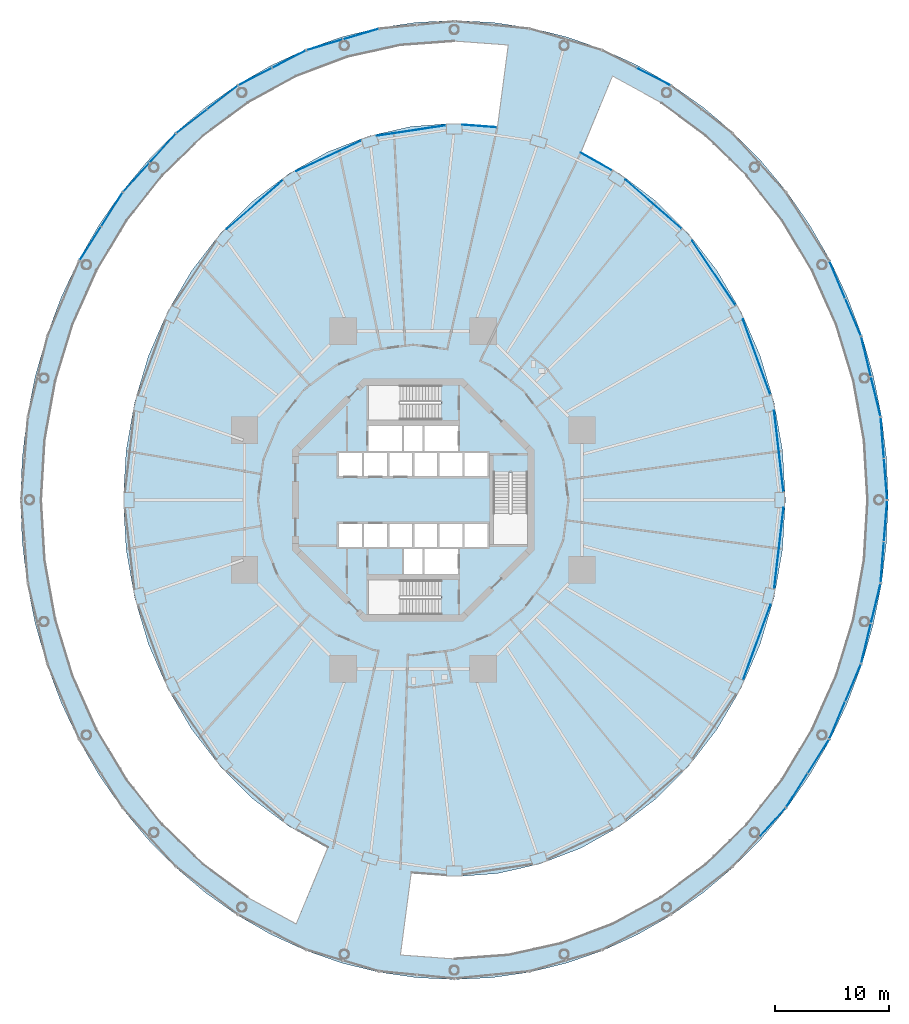
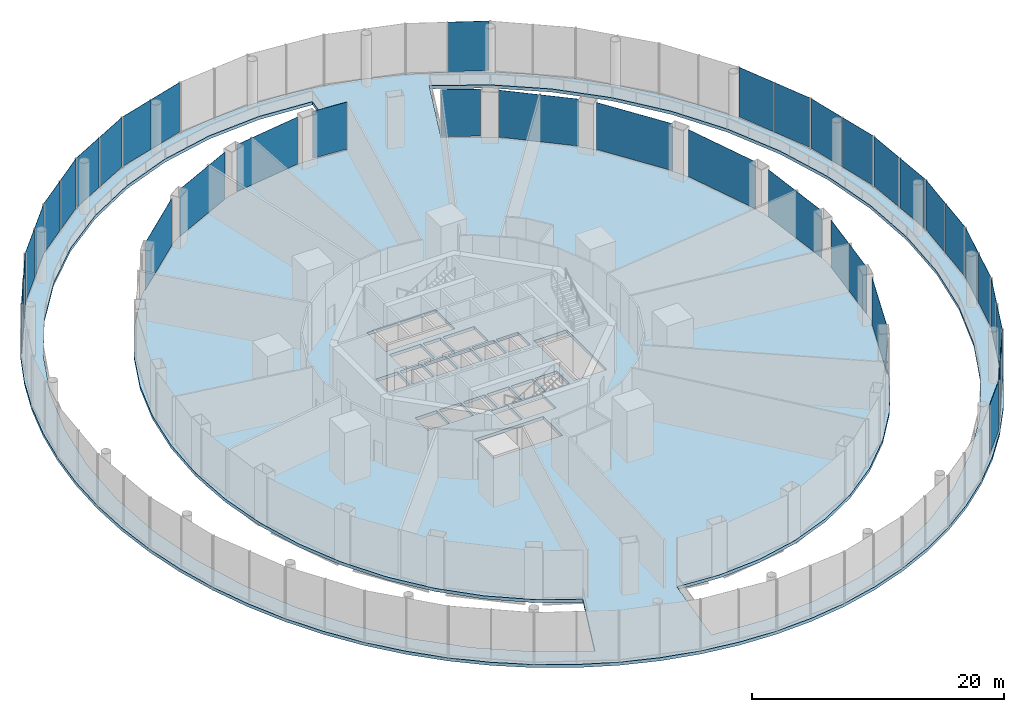
# One storey, part 40 of 48: 37 plates, 1 slab, 25 elements without a shape of their own.
"""IFC4 building model written with IfcOpenShell, lengths in metres."""

import ifcopenshell
import ifcopenshell.guid

model = None  # the IFC model being written
_history = None  # IfcOwnerHistory: only IFC2X3 demands one
_inside = {}  # id of a spatial element -> (the spatial element, [elements in it])
_under = {}  # id of a project, library or spatial element -> (it, [spatial elements below it])
_declared = {}  # id of a project -> (the project, [libraries it declares])
_typed = {}  # id of a type object -> (the type object, [elements of that type])
_made_of = {}  # id of a material, layer set ... -> (it, [elements and type objects made of it])


def new_model(schema):
    """Start an empty IFC model of exactly this schema.

    Asked for "IFC4X3", IfcOpenShell would pick the latest addendum, in which some entities
    have other attributes; the version numbers below select the first issue.
    IFC2X3 requires an IfcOwnerHistory on every rooted entity: one is made here for all.
    """
    global model, _history
    if schema == "IFC4X3":
        model = ifcopenshell.file(schema_version=(4, 3, 0, 0))
    else:
        model = ifcopenshell.file(schema=schema)
    _inside.clear()
    _under.clear()
    _declared.clear()
    _typed.clear()
    _made_of.clear()
    _history = None
    if model.schema == "IFC2X3":
        org = make("IfcOrganization", Name="unknown")
        user = make(
            "IfcPersonAndOrganization",
            ThePerson=make("IfcPerson", FamilyName="unknown"),
            TheOrganization=org,
        )
        app = make(
            "IfcApplication",
            ApplicationDeveloper=org,
            Version="unknown",
            ApplicationFullName="unknown",
            ApplicationIdentifier="unknown",
        )
        _history = make(
            "IfcOwnerHistory",
            OwningUser=user,
            OwningApplication=app,
            ChangeAction="ADDED",
            CreationDate=0,
        )
    return model


def make(cls, **values):
    """One entity of the class cls with the attributes given. An attribute that is None is left unset."""
    return model.create_entity(
        cls, **{name: value for name, value in values.items() if value is not None}
    )


def rooted(cls, **values):
    """An entity with a GlobalId (a new one), such as an element, a storey or a relation."""
    return make(cls, GlobalId=ifcopenshell.guid.new(), OwnerHistory=_history, **values)


def si_unit(unit_type, name, prefix=None):
    """IfcSIUnit, for example si_unit("LENGTHUNIT", "METRE", prefix="MILLI")."""
    return make("IfcSIUnit", UnitType=unit_type, Prefix=prefix, Name=name)


def assignment(units):
    """IfcUnitAssignment: the units of a project."""
    return None if units is None else make("IfcUnitAssignment", Units=units)


def point(xyz):
    """IfcCartesianPoint."""
    return None if xyz is None else make("IfcCartesianPoint", Coordinates=xyz)


def direction(xyz):
    """IfcDirection."""
    return None if xyz is None else make("IfcDirection", DirectionRatios=xyz)


def frame(location, z_axis=None, x_axis=None):
    """IfcAxis2Placement3D, a coordinate frame: its origin and axes. An axis left out is left unset."""
    return make(
        "IfcAxis2Placement3D",
        Location=point(location),
        Axis=direction(z_axis),
        RefDirection=direction(x_axis),
    )


def frame_2d(location, x_axis=None):
    """IfcAxis2Placement2D, a coordinate frame in the plane: its origin and x axis."""
    return make(
        "IfcAxis2Placement2D", Location=point(location), RefDirection=direction(x_axis)
    )


def origin():
    """The frame at (0, 0, 0) with its axes left unset."""
    return frame((0.0, 0.0, 0.0))


def origin_2d():
    """The frame at (0, 0) in the plane with its x axis left unset."""
    return frame_2d((0.0, 0.0))


def place(relative_to, where):
    """IfcLocalPlacement: puts the frame where relative to a parent placement (None: the world)."""
    return make(
        "IfcLocalPlacement", PlacementRelTo=relative_to, RelativePlacement=where
    )


def context(
    kind, dimensions, precision=None, world=None, true_north=None, identifier=None
):
    """IfcGeometricRepresentationContext, for example the 3D "Model" context."""
    return make(
        "IfcGeometricRepresentationContext",
        ContextIdentifier=identifier,
        ContextType=kind,
        CoordinateSpaceDimension=dimensions,
        Precision=precision,
        WorldCoordinateSystem=world,
        TrueNorth=true_north,
    )


def subcontext(parent, identifier, kind, view, scale=None):
    """IfcGeometricRepresentationSubContext, for example "Body" below "Model"."""
    return make(
        "IfcGeometricRepresentationSubContext",
        ContextIdentifier=identifier,
        ContextType=kind,
        ParentContext=parent,
        TargetScale=scale,
        TargetView=view,
    )


def project(units=None, contexts=None):
    """IfcProject with its units and contexts."""
    return rooted(
        "IfcProject",
        Name="project",
        RepresentationContexts=contexts,
        UnitsInContext=assignment(units),
    )


def spatial(cls, under=None, at=None, **own):
    """A site, building, storey or space (cls), placed at a placement, below another one or the project."""
    s = rooted(cls, ObjectPlacement=at, **own)
    if under is not None:
        _under.setdefault(under.id(), (under, []))[1].append(s)
    return s


def polyline(points):
    """IfcPolyline through the points."""
    return make("IfcPolyline", Points=[point(p) for p in points])


def profile(cls, at=None, kind="AREA", **sizes):
    """A parametric profile (cls). Its sizes go by their IFC names, for example OverallWidth=200.0."""
    return make(cls, ProfileType=kind, Position=at, **sizes)


def rectangle(**sizes):
    """IfcRectangleProfileDef."""
    return profile("IfcRectangleProfileDef", **sizes)


def outline(outer, holes=None, kind="AREA"):
    """IfcArbitraryClosedProfileDef: a profile drawn as a closed curve; with holes, ...WithVoids."""
    if holes is None:
        return make("IfcArbitraryClosedProfileDef", ProfileType=kind, OuterCurve=outer)
    return make(
        "IfcArbitraryProfileDefWithVoids",
        ProfileType=kind,
        OuterCurve=outer,
        InnerCurves=holes,
    )


def extrude(swept, where, along, depth):
    """IfcExtrudedAreaSolid: the profile swept, set in the frame where, extruded along a direction by depth."""
    return make(
        "IfcExtrudedAreaSolid",
        SweptArea=swept,
        Position=where,
        ExtrudedDirection=direction(along),
        Depth=depth,
    )


def shape(context_of_items, identifier, shape_type, items):
    """IfcShapeRepresentation: the items that make up one representation, for example the "Body"."""
    return make(
        "IfcShapeRepresentation",
        ContextOfItems=context_of_items,
        RepresentationIdentifier=identifier,
        RepresentationType=shape_type,
        Items=items,
    )


def material(Name=None, Category=None):
    """IfcMaterial."""
    return make("IfcMaterial", Name=Name, Category=Category)


def layer(
    of_material, thickness, ventilated=None, Name=None, Category=None, Priority=None
):
    """IfcMaterialLayer: one layer of a wall or slab, of a material (None: an air gap)."""
    return make(
        "IfcMaterialLayer",
        Material=of_material,
        LayerThickness=thickness,
        IsVentilated=ventilated,
        Name=Name,
        Category=Category,
        Priority=Priority,
    )


def layer_set(layers, Name=None):
    """IfcMaterialLayerSet."""
    return make("IfcMaterialLayerSet", MaterialLayers=layers, LayerSetName=Name)


def made_of(thing, what):
    """Note that an element or type object is made of a material, layer set ...; save() writes the relation."""
    if what is not None:
        _made_of.setdefault(what.id(), (what, []))[1].append(thing)
    return thing


def type_object(cls, material=None, **own):
    """A type object (cls), such as IfcWallType, which elements share."""
    return made_of(rooted(cls, **own), material)


def element(
    cls,
    number,
    at=None,
    inside=None,
    cuts=None,
    type_object=None,
    material=None,
    context=None,
    identifier="Body",
    shape_type=None,
    held_by="IfcProductDefinitionShape",
    body=None,
    shapes=None,
    **own,
):
    """One element of the class cls, such as IfcWall. Its Tag is "e" and its number.

    at: its placement. inside: the storey or other place that contains it. cuts: it is an
    opening in that element (IfcRelVoidsElement). A single representation is given by context,
    identifier, shape_type and body (its items); several are given by shapes. held_by: the class
    of the entity that holds the representations. save() writes the other relations.
    """
    e = rooted(cls, Tag="e%d" % number, ObjectPlacement=at, **own)
    if body is not None:
        shapes = [shape(context, identifier, shape_type, body)]
    if shapes is not None:
        e.Representation = make(held_by, Representations=shapes)
    if inside is not None:
        _inside.setdefault(inside.id(), (inside, []))[1].append(e)
    if cuts is not None:
        rooted(
            "IfcRelVoidsElement", RelatingBuildingElement=cuts, RelatedOpeningElement=e
        )
    if type_object is not None:
        _typed.setdefault(type_object.id(), (type_object, []))[1].append(e)
    return made_of(e, material)


def aggregate(whole, parts):
    """IfcRelAggregates: a whole, such as a stair, and the parts it consists of."""
    return rooted("IfcRelAggregates", RelatingObject=whole, RelatedObjects=parts)


def save(model, path):
    """Write the relations noted so far, then the file.

    IfcRelAggregates (storeys below a building ...), IfcRelContainedInSpatialStructure (elements
    in a storey), IfcRelDefinesByType, IfcRelAssociatesMaterial and IfcRelDeclares: one each for
    every whole, place, type object, material and project.
    """
    for whole, parts in _under.values():
        aggregate(whole, parts)
    for where, things in _inside.values():
        rooted(
            "IfcRelContainedInSpatialStructure",
            RelatedElements=things,
            RelatingStructure=where,
        )
    for kind, things in _typed.values():
        rooted("IfcRelDefinesByType", RelatedObjects=things, RelatingType=kind)
    for what, things in _made_of.values():
        rooted("IfcRelAssociatesMaterial", RelatedObjects=things, RelatingMaterial=what)
    for by, libraries in _declared.values():
        rooted("IfcRelDeclares", RelatingContext=by, RelatedDefinitions=libraries)
    model.write(path)


model = new_model("IFC4")

# Units and contexts
model_context = context("Model", 3, precision=1e-05, world=origin(), true_north=direction((0.0, 1.0)))
body_context = subcontext(model_context, "Body", "Model", "MODEL_VIEW")
ifc_project = project(units=[si_unit("LENGTHUNIT", "METRE"), si_unit("AREAUNIT", "SQUARE_METRE"), si_unit("VOLUMEUNIT", "CUBIC_METRE"), si_unit("PLANEANGLEUNIT", "RADIAN"), si_unit("MASSUNIT", "GRAM", prefix="KILO")], contexts=[model_context])

# Site, building, storey
site_placement = place(None, origin())
site = spatial("IfcSite", under=ifc_project, at=site_placement, CompositionType="ELEMENT")
building_placement = place(site_placement, origin())
building = spatial("IfcBuilding", under=site, at=building_placement, Name="Nagisa Residences", CompositionType="ELEMENT")
storey_placement = place(building_placement, frame((0.0, 0.0, 12.0)))
storey = spatial("IfcBuildingStorey", under=building, at=storey_placement, Name="L02", CompositionType="ELEMENT", Elevation=12.0)

# Curtain wall, plates
ifc_material_1 = material(Name="Stainless steel curtain wall system", Category="steel")
ifc_layer_1 = layer(ifc_material_1, 0.159912109375)
ifc_layer_set_1 = layer_set([ifc_layer_1], Name="CW3 CURTAIN WALL")
curtain_wall_type_1 = type_object("IfcCurtainWallType", Name="CW3 CURTAIN WALL", PredefinedType="NOTDEFINED", material=ifc_layer_set_1)
curtain_wall_1_placement = place(storey_placement, origin())
curtain_wall_1 = element("IfcCurtainWall", 1, at=curtain_wall_1_placement, inside=storey, type_object=curtain_wall_type_1, Name="cw:CW3:L02:00", PredefinedType="NOTDEFINED")
ifc_material_2 = material(Name="Low-iron laminated glass", Category="glass")
ifc_layer_2 = layer(ifc_material_2, 0.028076171875)
ifc_layer_set_2 = layer_set([ifc_layer_2], Name="CW3 GLASS PANEL")
plate_type_1 = type_object("IfcPlateType", Name="CW3 GLASS PANEL", PredefinedType="CURTAIN_PANEL", material=ifc_layer_set_2)
plate_1_placement = place(storey_placement, frame((41.374267578125, 1.8369140625, 0.2001953125), z_axis=(0.0, 0.0, 1.0), x_axis=(-0.078909582539, 0.996881777235, 0.0)))
plate_1 = element("IfcPlate", 2, at=plate_1_placement, type_object=plate_type_1, Name="CW3 panel", PredefinedType="CURTAIN_PANEL", context=body_context, shape_type="SweptSolid", body=[
    extrude(rectangle(XDim=3.5380859375, YDim=0.028076171875, at=origin_2d()), origin(), (0.0, 0.0, 1.0), 4.800048828125),
])
plate_2_placement = place(storey_placement, frame((41.0888671875, 5.443603515625, 0.2001953125), z_axis=(0.0, 0.0, 1.0), x_axis=(-0.078909582539, 0.996881777235, 0.0)))
plate_2 = element("IfcPlate", 3, at=plate_2_placement, type_object=plate_type_1, Name="CW3 panel", PredefinedType="CURTAIN_PANEL", context=body_context, shape_type="SweptSolid", body=[
    extrude(rectangle(XDim=3.5380859375, YDim=0.028076171875, at=origin_2d()), origin(), (0.0, 0.0, 1.0), 4.800048828125),
])
aggregate(curtain_wall_1, [plate_1, plate_2])

curtain_wall_2_placement = place(storey_placement, origin())
curtain_wall_2 = element("IfcCurtainWall", 4, at=curtain_wall_2_placement, inside=storey, type_object=curtain_wall_type_1, Name="cw:CW3:L02:01", PredefinedType="NOTDEFINED")
plate_3_placement = place(storey_placement, frame((40.51171875, 9.061767578125, 0.2001953125), z_axis=(0.0, 0.0, 1.0), x_axis=(-0.235605514043, 0.971848775146, 0.0)))
plate_3 = element("IfcPlate", 5, at=plate_3_placement, type_object=plate_type_1, Name="CW3 panel", PredefinedType="CURTAIN_PANEL", context=body_context, shape_type="SweptSolid", body=[
    extrude(rectangle(XDim=3.518310546875, YDim=0.028076171875, at=origin_2d()), origin(), (0.0, 0.0, 1.0), 4.800048828125),
])
plate_4_placement = place(storey_placement, frame((39.663818359375, 12.55859375, 0.2001953125), z_axis=(0.0, 0.0, 1.0), x_axis=(-0.235605514043, 0.971848775146, 0.0)))
plate_4 = element("IfcPlate", 6, at=plate_4_placement, type_object=plate_type_1, Name="CW3 panel", PredefinedType="CURTAIN_PANEL", context=body_context, shape_type="SweptSolid", body=[
    extrude(rectangle(XDim=3.518310546875, YDim=0.028076171875, at=origin_2d()), origin(), (0.0, 0.0, 1.0), 4.800048828125),
])
aggregate(curtain_wall_2, [plate_3, plate_4])

curtain_wall_3_placement = place(storey_placement, origin())
curtain_wall_3 = element("IfcCurtainWall", 7, at=curtain_wall_3_placement, inside=storey, type_object=curtain_wall_type_1, Name="cw:CW3:L02:02", PredefinedType="NOTDEFINED")
plate_5_placement = place(storey_placement, frame((38.527099609375, 16.010986328125, 0.2001953125), z_axis=(0.0, 0.0, 1.0), x_axis=(-0.388718029417, 0.921356767819, 0.0)))
plate_5 = element("IfcPlate", 8, at=plate_5_placement, type_object=plate_type_1, Name="CW3 panel", PredefinedType="CURTAIN_PANEL", context=body_context, shape_type="SweptSolid", body=[
    extrude(rectangle(XDim=3.480712890625, YDim=0.028076171875, at=origin_2d()), origin(), (0.0, 0.0, 1.0), 4.800048828125),
])
plate_6_placement = place(storey_placement, frame((37.142822265625, 19.291748046875, 0.2001953125), z_axis=(0.0, 0.0, 1.0), x_axis=(-0.388718029417, 0.921356767819, 0.0)))
plate_6 = element("IfcPlate", 9, at=plate_6_placement, type_object=plate_type_1, Name="CW3 panel", PredefinedType="CURTAIN_PANEL", context=body_context, shape_type="SweptSolid", body=[
    extrude(rectangle(XDim=3.480712890625, YDim=0.028076171875, at=origin_2d()), origin(), (0.0, 0.0, 1.0), 4.800048828125),
])
aggregate(curtain_wall_3, [plate_5, plate_6])

# Curtain wall, plate
curtain_wall_4_placement = place(storey_placement, origin())
curtain_wall_4 = element("IfcCurtainWall", 10, at=curtain_wall_4_placement, inside=storey, type_object=curtain_wall_type_1, Name="cw:CW3:L02:06", PredefinedType="NOTDEFINED")
plate_7_placement = place(storey_placement, frame((21.044677734375, 37.084716796875, 0.2001953125), z_axis=(0.0, 0.0, 1.0), x_axis=(-0.888887270285, 0.45812598783, 0.0)))
plate_7 = element("IfcPlate", 11, at=plate_7_placement, type_object=plate_type_1, Name="CW3 panel", PredefinedType="CURTAIN_PANEL", context=body_context, shape_type="SweptSolid", body=[
    extrude(rectangle(XDim=3.2568359375, YDim=0.028076171875, at=origin_2d()), origin(), (0.0, 0.0, 1.0), 4.800048828125),
])
aggregate(curtain_wall_4, [plate_7])

# Curtain wall, plates
curtain_wall_5_placement = place(storey_placement, origin())
curtain_wall_5 = element("IfcCurtainWall", 12, at=curtain_wall_5_placement, inside=storey, type_object=curtain_wall_type_1, Name="cw:CW3:L02:10", PredefinedType="NOTDEFINED")
plate_8_placement = place(storey_placement, frame((-4.5947265625, 40.805908203125, 0.2001953125), z_axis=(0.0, 0.0, 1.0), x_axis=(-0.958835171393, -0.283963226669, 0.0)))
plate_8 = element("IfcPlate", 13, at=plate_8_placement, type_object=plate_type_1, Name="CW3 panel", PredefinedType="CURTAIN_PANEL", context=body_context, shape_type="SweptSolid", body=[
    extrude(rectangle(XDim=3.21630859375, YDim=0.028076171875, at=origin_2d()), origin(), (0.0, 0.0, 1.0), 4.800048828125),
])
plate_9_placement = place(storey_placement, frame((-7.75537109375, 39.869873046875, 0.2001953125), z_axis=(0.0, 0.0, 1.0), x_axis=(-0.958835171393, -0.283963226669, 0.0)))
plate_9 = element("IfcPlate", 14, at=plate_9_placement, type_object=plate_type_1, Name="CW3 panel", PredefinedType="CURTAIN_PANEL", context=body_context, shape_type="SweptSolid", body=[
    extrude(rectangle(XDim=3.21630859375, YDim=0.028076171875, at=origin_2d()), origin(), (0.0, 0.0, 1.0), 4.800048828125),
])
aggregate(curtain_wall_5, [plate_8, plate_9])

curtain_wall_6_placement = place(storey_placement, origin())
curtain_wall_6 = element("IfcCurtainWall", 15, at=curtain_wall_6_placement, inside=storey, type_object=curtain_wall_type_1, Name="cw:CW3:L02:11", PredefinedType="NOTDEFINED")
plate_10_placement = place(storey_placement, frame((-10.878662109375, 38.61328125, 0.2001953125), z_axis=(0.0, 0.0, 1.0), x_axis=(-0.888887270285, -0.45812598783, 0.0)))
plate_10 = element("IfcPlate", 16, at=plate_10_placement, type_object=plate_type_1, Name="CW3 panel", PredefinedType="CURTAIN_PANEL", context=body_context, shape_type="SweptSolid", body=[
    extrude(rectangle(XDim=3.2568359375, YDim=0.028076171875, at=origin_2d()), origin(), (0.0, 0.0, 1.0), 4.800048828125),
])
plate_11_placement = place(storey_placement, frame((-13.8447265625, 37.084716796875, 0.2001953125), z_axis=(0.0, 0.0, 1.0), x_axis=(-0.888887270285, -0.45812598783, 0.0)))
plate_11 = element("IfcPlate", 17, at=plate_11_placement, type_object=plate_type_1, Name="CW3 panel", PredefinedType="CURTAIN_PANEL", context=body_context, shape_type="SweptSolid", body=[
    extrude(rectangle(XDim=3.2568359375, YDim=0.028076171875, at=origin_2d()), origin(), (0.0, 0.0, 1.0), 4.800048828125),
])
aggregate(curtain_wall_6, [plate_10, plate_11])

curtain_wall_7_placement = place(storey_placement, origin())
curtain_wall_7 = element("IfcCurtainWall", 18, at=curtain_wall_7_placement, inside=storey, type_object=curtain_wall_type_1, Name="cw:CW3:L02:12", PredefinedType="NOTDEFINED")
plate_12_placement = place(storey_placement, frame((-16.723388671875, 35.247802734375, 0.2001953125), z_axis=(0.0, 0.0, 1.0), x_axis=(-0.790830864353, -0.612034757172, 0.0)))
plate_12 = element("IfcPlate", 19, at=plate_12_placement, type_object=plate_type_1, Name="CW3 panel", PredefinedType="CURTAIN_PANEL", context=body_context, shape_type="SweptSolid", body=[
    extrude(rectangle(XDim=3.310546875, YDim=0.028076171875, at=origin_2d()), origin(), (0.0, 0.0, 1.0), 4.800048828125),
])
plate_13_placement = place(storey_placement, frame((-19.40478515625, 33.172607421875, 0.2001953125), z_axis=(0.0, 0.0, 1.0), x_axis=(-0.790830864353, -0.612034757172, 0.0)))
plate_13 = element("IfcPlate", 20, at=plate_13_placement, type_object=plate_type_1, Name="CW3 panel", PredefinedType="CURTAIN_PANEL", context=body_context, shape_type="SweptSolid", body=[
    extrude(rectangle(XDim=3.310546875, YDim=0.028076171875, at=origin_2d()), origin(), (0.0, 0.0, 1.0), 4.800048828125),
])
aggregate(curtain_wall_7, [plate_12, plate_13])

curtain_wall_8_placement = place(storey_placement, origin())
curtain_wall_8 = element("IfcCurtainWall", 21, at=curtain_wall_8_placement, inside=storey, type_object=curtain_wall_type_1, Name="cw:CW3:L02:13", PredefinedType="NOTDEFINED")
plate_14_placement = place(storey_placement, frame((-21.950927734375, 30.811279296875, 0.2001953125), z_axis=(0.0, 0.0, 1.0), x_axis=(-0.670913323971, -0.741535779122, 0.0)))
plate_14 = element("IfcPlate", 22, at=plate_14_placement, type_object=plate_type_1, Name="CW3 panel", PredefinedType="CURTAIN_PANEL", context=body_context, shape_type="SweptSolid", body=[
    extrude(rectangle(XDim=3.37060546875, YDim=0.028076171875, at=origin_2d()), origin(), (0.0, 0.0, 1.0), 4.800048828125),
])
plate_15_placement = place(storey_placement, frame((-24.26611328125, 28.25244140625, 0.2001953125), z_axis=(0.0, 0.0, 1.0), x_axis=(-0.670913323971, -0.741535779122, 0.0)))
plate_15 = element("IfcPlate", 23, at=plate_15_placement, type_object=plate_type_1, Name="CW3 panel", PredefinedType="CURTAIN_PANEL", context=body_context, shape_type="SweptSolid", body=[
    extrude(rectangle(XDim=3.37060546875, YDim=0.028076171875, at=origin_2d()), origin(), (0.0, 0.0, 1.0), 4.800048828125),
])
aggregate(curtain_wall_8, [plate_14, plate_15])

curtain_wall_9_placement = place(storey_placement, origin())
curtain_wall_9 = element("IfcCurtainWall", 24, at=curtain_wall_9_placement, inside=storey, type_object=curtain_wall_type_1, Name="cw:CW3:L02:14", PredefinedType="NOTDEFINED")
plate_16_placement = place(storey_placement, frame((-26.402587890625, 25.43798828125, 0.2001953125), z_axis=(0.0, 0.0, 1.0), x_axis=(-0.535165286856, -0.844747368001, 0.0)))
plate_16 = element("IfcPlate", 25, at=plate_16_placement, type_object=plate_type_1, Name="CW3 panel", PredefinedType="CURTAIN_PANEL", context=body_context, shape_type="SweptSolid", body=[
    extrude(rectangle(XDim=3.4296875, YDim=0.028076171875, at=origin_2d()), origin(), (0.0, 0.0, 1.0), 4.800048828125),
])
plate_17_placement = place(storey_placement, frame((-28.28076171875, 22.473388671875, 0.2001953125), z_axis=(0.0, 0.0, 1.0), x_axis=(-0.535165286856, -0.844747368001, 0.0)))
plate_17 = element("IfcPlate", 26, at=plate_17_placement, type_object=plate_type_1, Name="CW3 panel", PredefinedType="CURTAIN_PANEL", context=body_context, shape_type="SweptSolid", body=[
    extrude(rectangle(XDim=3.4296875, YDim=0.028076171875, at=origin_2d()), origin(), (0.0, 0.0, 1.0), 4.800048828125),
])
aggregate(curtain_wall_9, [plate_16, plate_17])

# Curtain wall, plate
curtain_wall_10_placement = place(storey_placement, origin())
curtain_wall_10 = element("IfcCurtainWall", 27, at=curtain_wall_10_placement, inside=storey, type_object=curtain_wall_type_1, Name="cw:CW3:L02:31", PredefinedType="NOTDEFINED")
plate_18_placement = place(storey_placement, frame((31.466064453125, -28.25244140625, 0.2001953125), z_axis=(0.0, 0.0, 1.0), x_axis=(0.670913323971, 0.741535779122, 0.0)))
plate_18 = element("IfcPlate", 28, at=plate_18_placement, type_object=plate_type_1, Name="CW3 panel", PredefinedType="CURTAIN_PANEL", context=body_context, shape_type="SweptSolid", body=[
    extrude(rectangle(XDim=3.37060546875, YDim=0.028076171875, at=origin_2d()), origin(), (0.0, 0.0, 1.0), 4.800048828125),
])
aggregate(curtain_wall_10, [plate_18])

# Curtain wall, plates
curtain_wall_11_placement = place(storey_placement, origin())
curtain_wall_11 = element("IfcCurtainWall", 29, at=curtain_wall_11_placement, inside=storey, type_object=curtain_wall_type_1, Name="cw:CW3:L02:32", PredefinedType="NOTDEFINED")
plate_19_placement = place(storey_placement, frame((33.6025390625, -25.43798828125, 0.2001953125), z_axis=(0.0, 0.0, 1.0), x_axis=(0.535165286856, 0.844747368001, 0.0)))
plate_19 = element("IfcPlate", 30, at=plate_19_placement, type_object=plate_type_1, Name="CW3 panel", PredefinedType="CURTAIN_PANEL", context=body_context, shape_type="SweptSolid", body=[
    extrude(rectangle(XDim=3.4296875, YDim=0.028076171875, at=origin_2d()), origin(), (0.0, 0.0, 1.0), 4.800048828125),
])
plate_20_placement = place(storey_placement, frame((35.48095703125, -22.473388671875, 0.2001953125), z_axis=(0.0, 0.0, 1.0), x_axis=(0.535165286856, 0.844747368001, 0.0)))
plate_20 = element("IfcPlate", 31, at=plate_20_placement, type_object=plate_type_1, Name="CW3 panel", PredefinedType="CURTAIN_PANEL", context=body_context, shape_type="SweptSolid", body=[
    extrude(rectangle(XDim=3.4296875, YDim=0.028076171875, at=origin_2d()), origin(), (0.0, 0.0, 1.0), 4.800048828125),
])
aggregate(curtain_wall_11, [plate_19, plate_20])

curtain_wall_12_placement = place(storey_placement, origin())
curtain_wall_12 = element("IfcCurtainWall", 32, at=curtain_wall_12_placement, inside=storey, type_object=curtain_wall_type_1, Name="cw:CW3:L02:33", PredefinedType="NOTDEFINED")
plate_21_placement = place(storey_placement, frame((37.142822265625, -19.291748046875, 0.2001953125), z_axis=(0.0, 0.0, 1.0), x_axis=(0.388718029417, 0.921356767819, 0.0)))
plate_21 = element("IfcPlate", 33, at=plate_21_placement, type_object=plate_type_1, Name="CW3 panel", PredefinedType="CURTAIN_PANEL", context=body_context, shape_type="SweptSolid", body=[
    extrude(rectangle(XDim=3.480712890625, YDim=0.028076171875, at=origin_2d()), origin(), (0.0, 0.0, 1.0), 4.800048828125),
])
plate_22_placement = place(storey_placement, frame((38.527099609375, -16.010986328125, 0.2001953125), z_axis=(0.0, 0.0, 1.0), x_axis=(0.388718029417, 0.921356767819, 0.0)))
plate_22 = element("IfcPlate", 34, at=plate_22_placement, type_object=plate_type_1, Name="CW3 panel", PredefinedType="CURTAIN_PANEL", context=body_context, shape_type="SweptSolid", body=[
    extrude(rectangle(XDim=3.480712890625, YDim=0.028076171875, at=origin_2d()), origin(), (0.0, 0.0, 1.0), 4.800048828125),
])
aggregate(curtain_wall_12, [plate_21, plate_22])

curtain_wall_13_placement = place(storey_placement, origin())
curtain_wall_13 = element("IfcCurtainWall", 35, at=curtain_wall_13_placement, inside=storey, type_object=curtain_wall_type_1, Name="cw:CW3:L02:34", PredefinedType="NOTDEFINED")
plate_23_placement = place(storey_placement, frame((39.663818359375, -12.55859375, 0.2001953125), z_axis=(0.0, 0.0, 1.0), x_axis=(0.235605514043, 0.971848775146, 0.0)))
plate_23 = element("IfcPlate", 36, at=plate_23_placement, type_object=plate_type_1, Name="CW3 panel", PredefinedType="CURTAIN_PANEL", context=body_context, shape_type="SweptSolid", body=[
    extrude(rectangle(XDim=3.518310546875, YDim=0.028076171875, at=origin_2d()), origin(), (0.0, 0.0, 1.0), 4.800048828125),
])
plate_24_placement = place(storey_placement, frame((40.51171875, -9.061767578125, 0.2001953125), z_axis=(0.0, 0.0, 1.0), x_axis=(0.235605514043, 0.971848775146, 0.0)))
plate_24 = element("IfcPlate", 37, at=plate_24_placement, type_object=plate_type_1, Name="CW3 panel", PredefinedType="CURTAIN_PANEL", context=body_context, shape_type="SweptSolid", body=[
    extrude(rectangle(XDim=3.518310546875, YDim=0.028076171875, at=origin_2d()), origin(), (0.0, 0.0, 1.0), 4.800048828125),
])
aggregate(curtain_wall_13, [plate_23, plate_24])

curtain_wall_14_placement = place(storey_placement, origin())
curtain_wall_14 = element("IfcCurtainWall", 38, at=curtain_wall_14_placement, inside=storey, type_object=curtain_wall_type_1, Name="cw:CW3:L02:35", PredefinedType="NOTDEFINED")
plate_25_placement = place(storey_placement, frame((41.0888671875, -5.443603515625, 0.2001953125), z_axis=(0.0, 0.0, 1.0), x_axis=(0.078909582539, 0.996881777235, 0.0)))
plate_25 = element("IfcPlate", 39, at=plate_25_placement, type_object=plate_type_1, Name="CW3 panel", PredefinedType="CURTAIN_PANEL", context=body_context, shape_type="SweptSolid", body=[
    extrude(rectangle(XDim=3.5380859375, YDim=0.028076171875, at=origin_2d()), origin(), (0.0, 0.0, 1.0), 4.800048828125),
])
plate_26_placement = place(storey_placement, frame((41.374267578125, -1.8369140625, 0.2001953125), z_axis=(0.0, 0.0, 1.0), x_axis=(0.078909582539, 0.996881777235, 0.0)))
plate_26 = element("IfcPlate", 40, at=plate_26_placement, type_object=plate_type_1, Name="CW3 panel", PredefinedType="CURTAIN_PANEL", context=body_context, shape_type="SweptSolid", body=[
    extrude(rectangle(XDim=3.5380859375, YDim=0.028076171875, at=origin_2d()), origin(), (0.0, 0.0, 1.0), 4.800048828125),
])
aggregate(curtain_wall_14, [plate_25, plate_26])

# Curtain wall, plate
ifc_material_3 = material(Name="Stainless steel curtain wall system", Category="steel")
ifc_layer_3 = layer(ifc_material_3, 0.159912109375)
ifc_layer_set_3 = layer_set([ifc_layer_3], Name="CW6 CURTAIN WALL")
curtain_wall_type_2 = type_object("IfcCurtainWallType", Name="CW6 CURTAIN WALL", PredefinedType="NOTDEFINED", material=ifc_layer_set_3)
curtain_wall_15_placement = place(storey_placement, origin())
curtain_wall_15 = element("IfcCurtainWall", 41, at=curtain_wall_15_placement, inside=storey, type_object=curtain_wall_type_2, Name="cw:CW6:L02:00", PredefinedType="NOTDEFINED")
ifc_material_4 = material(Name="Low-iron laminated glass", Category="glass")
ifc_layer_4 = layer(ifc_material_4, 0.028076171875)
ifc_layer_set_4 = layer_set([ifc_layer_4], Name="CW6 GLASS PANEL")
plate_type_2 = type_object("IfcPlateType", Name="CW6 GLASS PANEL", PredefinedType="CURTAIN_PANEL", material=ifc_layer_set_4)
plate_27_placement = place(storey_placement, frame((32.02294921875, 4.291015625, 0.14990234375), z_axis=(0.0, 0.0, 1.0), x_axis=(-0.114928006139, 0.993373823596, 0.0)))
plate_27 = element("IfcPlate", 42, at=plate_27_placement, type_object=plate_type_2, Name="CW6 panel", PredefinedType="CURTAIN_PANEL", context=body_context, shape_type="SweptSolid", body=[
    extrude(rectangle(XDim=7.137939453125, YDim=0.028076171875, at=origin_2d()), origin(), (0.0, 0.0, 1.0), 4.550048828125),
])
aggregate(curtain_wall_15, [plate_27])

curtain_wall_16_placement = place(storey_placement, origin())
curtain_wall_16 = element("IfcCurtainWall", 43, at=curtain_wall_16_placement, inside=storey, type_object=curtain_wall_type_2, Name="cw:CW6:L02:02", PredefinedType="NOTDEFINED")
plate_28_placement = place(storey_placement, frame((30.077880859375, 12.521240234375, 0.14990234375), z_axis=(0.0, 0.0, 1.0), x_axis=(-0.342049702176, 0.939681861718, 0.0)))
plate_28 = element("IfcPlate", 44, at=plate_28_placement, type_object=plate_type_2, Name="CW6 panel", PredefinedType="CURTAIN_PANEL", context=body_context, shape_type="SweptSolid", body=[
    extrude(rectangle(XDim=7.009765625, YDim=0.028076171875, at=origin_2d()), origin(), (0.0, 0.0, 1.0), 4.550048828125),
])
aggregate(curtain_wall_16, [plate_28])

curtain_wall_17_placement = place(storey_placement, origin())
curtain_wall_17 = element("IfcCurtainWall", 45, at=curtain_wall_17_placement, inside=storey, type_object=curtain_wall_type_2, Name="cw:CW6:L02:04", PredefinedType="NOTDEFINED")
plate_29_placement = place(storey_placement, frame((26.327392578125, 19.8974609375, 0.14990234375), z_axis=(0.0, 0.0, 1.0), x_axis=(-0.559084136544, 0.829110926393, 0.0)))
plate_29 = element("IfcPlate", 46, at=plate_29_placement, type_object=plate_type_2, Name="CW6 panel", PredefinedType="CURTAIN_PANEL", context=body_context, shape_type="SweptSolid", body=[
    extrude(rectangle(XDim=6.783203125, YDim=0.028076171875, at=origin_2d()), origin(), (0.0, 0.0, 1.0), 4.550048828125),
])
aggregate(curtain_wall_17, [plate_29])

curtain_wall_18_placement = place(storey_placement, origin())
curtain_wall_18 = element("IfcCurtainWall", 47, at=curtain_wall_18_placement, inside=storey, type_object=curtain_wall_type_2, Name="cw:CW6:L02:06", PredefinedType="NOTDEFINED")
plate_30_placement = place(storey_placement, frame((21.02783203125, 25.916259765625, 0.14990234375), z_axis=(0.0, 0.0, 1.0), x_axis=(-0.753261216572, 0.657721475708, 0.0)))
plate_30 = element("IfcPlate", 48, at=plate_30_placement, type_object=plate_type_2, Name="CW6 panel", PredefinedType="CURTAIN_PANEL", context=body_context, shape_type="SweptSolid", body=[
    extrude(rectangle(XDim=6.513427734375, YDim=0.028076171875, at=origin_2d()), origin(), (0.0, 0.0, 1.0), 4.550048828125),
])
aggregate(curtain_wall_18, [plate_30])

curtain_wall_19_placement = place(storey_placement, origin())
curtain_wall_19 = element("IfcCurtainWall", 49, at=curtain_wall_19_placement, inside=storey, type_object=curtain_wall_type_2, Name="cw:CW6:L02:08", PredefinedType="NOTDEFINED")
plate_31_placement = place(storey_placement, frame((16.0283203125, 29.649658203125, 0.14990234375), z_axis=(0.0, 0.0, 1.0), x_axis=(-0.872072377523, 0.489376918501, 0.0)))
plate_31 = element("IfcPlate", 50, at=plate_31_placement, type_object=plate_type_2, Name="CW6 panel", PredefinedType="CURTAIN_PANEL", context=body_context, shape_type="SweptSolid", body=[
    extrude(rectangle(XDim=3.141357421875, YDim=0.028076171875, at=origin_2d()), origin(), (0.0, 0.0, 1.0), 4.550048828125),
])
aggregate(curtain_wall_19, [plate_31])

curtain_wall_20_placement = place(storey_placement, origin())
curtain_wall_20 = element("IfcCurtainWall", 51, at=curtain_wall_20_placement, inside=storey, type_object=curtain_wall_type_2, Name="cw:CW6:L02:11", PredefinedType="NOTDEFINED")
plate_32_placement = place(storey_placement, frame((5.805908203125, 32.75537109375, 0.14990234375), z_axis=(0.0, 0.0, 1.0), x_axis=(-0.997230168512, 0.074377355493, 0.0)))
plate_32 = element("IfcPlate", 52, at=plate_32_placement, type_object=plate_type_2, Name="CW6 panel", PredefinedType="CURTAIN_PANEL", context=body_context, shape_type="SweptSolid", body=[
    extrude(rectangle(XDim=3.035888671875, YDim=0.028076171875, at=origin_2d()), origin(), (0.0, 0.0, 1.0), 4.550048828125),
])
aggregate(curtain_wall_20, [plate_32])

curtain_wall_21_placement = place(storey_placement, origin())
curtain_wall_21 = element("IfcCurtainWall", 53, at=curtain_wall_21_placement, inside=storey, type_object=curtain_wall_type_2, Name="cw:CW6:L02:12", PredefinedType="NOTDEFINED")
plate_33_placement = place(storey_placement, frame((-0.170654296875, 32.354248046875, 0.14990234375), z_axis=(0.0, 0.0, 1.0), x_axis=(-0.988963689083, -0.148158096894, 0.0)))
plate_33 = element("IfcPlate", 54, at=plate_33_placement, type_object=plate_type_2, Name="CW6 panel", PredefinedType="CURTAIN_PANEL", context=body_context, shape_type="SweptSolid", body=[
    extrude(rectangle(XDim=6.12939453125, YDim=0.028076171875, at=origin_2d()), origin(), (0.0, 0.0, 1.0), 4.550048828125),
])
aggregate(curtain_wall_21, [plate_33])

curtain_wall_22_placement = place(storey_placement, origin())
curtain_wall_22 = element("IfcCurtainWall", 55, at=curtain_wall_22_placement, inside=storey, type_object=curtain_wall_type_2, Name="cw:CW6:L02:14", PredefinedType="NOTDEFINED")
plate_34_placement = place(storey_placement, frame((-7.39599609375, 30.14208984375, 0.14990234375), z_axis=(0.0, 0.0, 1.0), x_axis=(-0.904554286432, -0.426358467603, 0.0)))
plate_34 = element("IfcPlate", 56, at=plate_34_placement, type_object=plate_type_2, Name="CW6 panel", PredefinedType="CURTAIN_PANEL", context=body_context, shape_type="SweptSolid", body=[
    extrude(rectangle(XDim=6.272216796875, YDim=0.028076171875, at=origin_2d()), origin(), (0.0, 0.0, 1.0), 4.550048828125),
])
aggregate(curtain_wall_22, [plate_34])

curtain_wall_23_placement = place(storey_placement, origin())
curtain_wall_23 = element("IfcCurtainWall", 57, at=curtain_wall_23_placement, inside=storey, type_object=curtain_wall_type_2, Name="cw:CW6:L02:16", PredefinedType="NOTDEFINED")
plate_35_placement = place(storey_placement, frame((-13.873046875, 25.876708984375, 0.14990234375), z_axis=(0.0, 0.0, 1.0), x_axis=(-0.753261216572, -0.657721475708, 0.0)))
plate_35 = element("IfcPlate", 58, at=plate_35_placement, type_object=plate_type_2, Name="CW6 panel", PredefinedType="CURTAIN_PANEL", context=body_context, shape_type="SweptSolid", body=[
    extrude(rectangle(XDim=6.513427734375, YDim=0.028076171875, at=origin_2d()), origin(), (0.0, 0.0, 1.0), 4.550048828125),
])
aggregate(curtain_wall_23, [plate_35])

curtain_wall_24_placement = place(storey_placement, origin())
curtain_wall_24 = element("IfcCurtainWall", 59, at=curtain_wall_24_placement, inside=storey, type_object=curtain_wall_type_2, Name="cw:CW6:L02:44", PredefinedType="NOTDEFINED")
plate_36_placement = place(storey_placement, frame((30.098388671875, -12.46484375, 0.14990234375), z_axis=(0.0, 0.0, 1.0), x_axis=(0.342049702176, 0.939681861718, 0.0)))
plate_36 = element("IfcPlate", 60, at=plate_36_placement, type_object=plate_type_2, Name="CW6 panel", PredefinedType="CURTAIN_PANEL", context=body_context, shape_type="SweptSolid", body=[
    extrude(rectangle(XDim=7.009765625, YDim=0.028076171875, at=origin_2d()), origin(), (0.0, 0.0, 1.0), 4.550048828125),
])
aggregate(curtain_wall_24, [plate_36])

curtain_wall_25_placement = place(storey_placement, origin())
curtain_wall_25 = element("IfcCurtainWall", 61, at=curtain_wall_25_placement, inside=storey, type_object=curtain_wall_type_2, Name="cw:CW6:L02:46", PredefinedType="NOTDEFINED")
plate_37_placement = place(storey_placement, frame((32.02978515625, -4.2314453125, 0.14990234375), z_axis=(0.0, 0.0, 1.0), x_axis=(0.114928006139, 0.993373823596, 0.0)))
plate_37 = element("IfcPlate", 62, at=plate_37_placement, type_object=plate_type_2, Name="CW6 panel", PredefinedType="CURTAIN_PANEL", context=body_context, shape_type="SweptSolid", body=[
    extrude(rectangle(XDim=7.137939453125, YDim=0.028076171875, at=origin_2d()), origin(), (0.0, 0.0, 1.0), 4.550048828125),
])
aggregate(curtain_wall_25, [plate_37])

# Slab
ifc_material_5 = material(Name="Concrete C40", Category="concrete")
ifc_layer_5 = layer(ifc_material_5, 0.300048828125)
ifc_layer_set_5 = layer_set([ifc_layer_5], Name="Floor slab 300")
slab_type = type_object("IfcSlabType", Name="Floor slab 300", PredefinedType="FLOOR", material=ifc_layer_set_5)
slab_placement = place(storey_placement, frame((0.0, 0.0, -0.300048828125)))
element("IfcSlab", 63, at=slab_placement, inside=storey, type_object=slab_type, Name="slab:L02:floor", PredefinedType="FLOOR", context=body_context, shape_type="SweptSolid", body=[
    extrude(outline(polyline([(41.60009765625, 0.0), (41.455322265625, 3.66064453125), (41.022705078125, 7.293212890625), (40.30517578125, 10.870361328125), (39.308349609375, 14.36474609375), (38.039794921875, 17.75), (36.509033203125, 21.0), (34.727783203125, 24.09033203125), (32.709716796875, 26.9970703125), (30.469970703125, 29.698486328125), (28.02587890625, 32.173828125), (25.39599609375, 34.404296875), (22.60009765625, 36.373046875), (19.659423828125, 38.06494140625), (16.5966796875, 39.467041015625), (13.43505859375, 40.56884765625), (10.19873046875, 41.36181640625), (6.911865234375, 41.840087890625), (3.60009765625, 42.0), (0.2880859375, 41.840087890625), (-2.99853515625, 41.36181640625), (-6.235107421875, 40.56884765625), (-9.396728515625, 39.467041015625), (-12.45947265625, 38.06494140625), (-15.39990234375, 36.373046875), (-18.19580078125, 34.404296875), (-20.825927734375, 32.173828125), (-23.27001953125, 29.698486328125), (-25.509765625, 26.9970703125), (-27.52783203125, 24.09033203125), (-29.30908203125, 21.0), (-30.839599609375, 17.75), (-32.1083984375, 14.36474609375), (-33.105224609375, 10.870361328125), (-33.82275390625, 7.293212890625), (-34.25537109375, 3.66064453125), (-34.39990234375, 0.0), (-34.25537109375, -3.66064453125), (-33.82275390625, -7.293212890625), (-33.105224609375, -10.870361328125), (-32.1083984375, -14.36474609375), (-30.839599609375, -17.75), (-29.30908203125, -21.0), (-27.52783203125, -24.09033203125), (-25.509765625, -26.9970703125), (-23.27001953125, -29.698486328125), (-20.825927734375, -32.173828125), (-18.19580078125, -34.404296875), (-15.39990234375, -36.373046875), (-12.45947265625, -38.06494140625), (-9.396728515625, -39.467041015625), (-6.235107421875, -40.56884765625), (-2.99853515625, -41.36181640625), (0.2880859375, -41.840087890625), (3.60009765625, -42.0), (6.911865234375, -41.840087890625), (10.19873046875, -41.36181640625), (13.43505859375, -40.56884765625), (16.5966796875, -39.467041015625), (19.659423828125, -38.06494140625), (22.60009765625, -36.373046875), (25.39599609375, -34.404296875), (28.02587890625, -32.173828125), (30.469970703125, -29.698486328125), (32.709716796875, -26.9970703125), (34.727783203125, -24.09033203125), (36.509033203125, -21.0), (38.039794921875, -17.75), (39.308349609375, -14.36474609375), (40.30517578125, -10.870361328125), (41.022705078125, -7.293212890625), (41.455322265625, -3.66064453125), (41.60009765625, 0.0)]), holes=[polyline([(-4.5, 2.10009765625), (-4.5, 4.10009765625), (-6.5, 4.10009765625), (-6.5, 2.10009765625), (-4.5, 2.10009765625)]), polyline([(-2.300048828125, 2.10009765625), (-2.300048828125, 4.10009765625), (-4.300048828125, 4.10009765625), (-4.300048828125, 2.10009765625), (-2.300048828125, 2.10009765625)]), polyline([(-0.10009765625, 2.10009765625), (-0.10009765625, 4.10009765625), (-2.10009765625, 4.10009765625), (-2.10009765625, 2.10009765625), (-0.10009765625, 2.10009765625)]), polyline([(2.10009765625, 2.10009765625), (2.10009765625, 4.10009765625), (0.10009765625, 4.10009765625), (0.10009765625, 2.10009765625), (2.10009765625, 2.10009765625)]), polyline([(4.300048828125, 2.10009765625), (4.300048828125, 4.10009765625), (2.300048828125, 4.10009765625), (2.300048828125, 2.10009765625), (4.300048828125, 2.10009765625)]), polyline([(6.5, 2.10009765625), (6.5, 4.10009765625), (4.5, 4.10009765625), (4.5, 2.10009765625), (6.5, 2.10009765625)]), polyline([(-4.5, -4.10009765625), (-4.5, -2.10009765625), (-6.5, -2.10009765625), (-6.5, -4.10009765625), (-4.5, -4.10009765625)]), polyline([(-2.300048828125, -4.10009765625), (-2.300048828125, -2.10009765625), (-4.300048828125, -2.10009765625), (-4.300048828125, -4.10009765625), (-2.300048828125, -4.10009765625)]), polyline([(-0.10009765625, -4.10009765625), (-0.10009765625, -2.10009765625), (-2.10009765625, -2.10009765625), (-2.10009765625, -4.10009765625), (-0.10009765625, -4.10009765625)]), polyline([(2.10009765625, -4.10009765625), (2.10009765625, -2.10009765625), (0.10009765625, -2.10009765625), (0.10009765625, -4.10009765625), (2.10009765625, -4.10009765625)]), polyline([(4.300048828125, -4.10009765625), (4.300048828125, -2.10009765625), (2.300048828125, -2.10009765625), (2.300048828125, -4.10009765625), (4.300048828125, -4.10009765625)]), polyline([(6.5, -4.10009765625), (6.5, -2.10009765625), (4.5, -2.10009765625), (4.5, -4.10009765625), (6.5, -4.10009765625)]), polyline([(3.89990234375, 4.300048828125), (3.89990234375, 6.5), (1.0, 6.5), (1.0, 4.300048828125), (3.89990234375, 4.300048828125)]), polyline([(3.89990234375, -6.5), (3.89990234375, -4.300048828125), (1.0, -4.300048828125), (1.0, -6.5), (3.89990234375, -6.5)]), polyline([(-1.0, 4.300048828125), (-1.0, 6.5), (-3.89990234375, 6.5), (-3.89990234375, 4.300048828125), (-1.0, 4.300048828125)]), polyline([(0.800048828125, 4.300048828125), (0.800048828125, 6.5), (-0.800048828125, 6.5), (-0.800048828125, 4.300048828125), (0.800048828125, 4.300048828125)]), polyline([(0.800048828125, -6.5), (0.800048828125, -4.300048828125), (-0.800048828125, -4.300048828125), (-0.800048828125, -6.5), (0.800048828125, -6.5)]), polyline([(10.024658203125, -3.89990234375), (7.024658203125, -3.89990234375), (7.024658203125, 2.425048828125), (10.024658203125, 2.425048828125), (10.024658203125, -3.89990234375)]), polyline([(-3.89990234375, 7.024658203125), (-3.89990234375, 10.024658203125), (2.425048828125, 10.024658203125), (2.425048828125, 7.024658203125), (-3.89990234375, 7.024658203125)]), polyline([(-3.89990234375, -10.024658203125), (-3.89990234375, -7.024658203125), (2.425048828125, -7.024658203125), (2.425048828125, -10.024658203125), (-3.89990234375, -10.024658203125)]), polyline([(8.324951171875, 39.856201171875), (3.60009765625, 40.199951171875), (-1.125, 39.856201171875), (-5.769287109375, 38.830322265625), (-10.253173828125, 37.139892578125), (-14.5, 34.814208984375), (-18.437255859375, 31.892822265625), (-21.997314453125, 28.42578125), (-25.119384765625, 24.47216796875), (-27.75, 20.10009765625), (-29.844482421875, 15.3837890625), (-31.366455078125, 10.404541015625), (-32.290283203125, 5.2470703125), (-32.60009765625, 0.0), (-32.290283203125, -5.2470703125), (-31.366455078125, -10.404541015625), (-29.844482421875, -15.3837890625), (-27.75, -20.10009765625), (-25.119384765625, -24.47216796875), (-21.997314453125, -28.42578125), (-18.437255859375, -31.892822265625), (-14.5, -34.814208984375), (-10.253173828125, -37.139892578125), (-7.497802734375, -30.488037109375), (-10.89990234375, -28.578857421875), (-14.05419921875, -26.1806640625), (-16.906005859375, -23.33447265625), (-19.4072265625, -20.089111328125), (-21.5146484375, -16.5), (-23.192626953125, -12.628662109375), (-24.411865234375, -8.541015625), (-25.15185546875, -4.307373046875), (-25.39990234375, 0.0), (-25.15185546875, 4.307373046875), (-24.411865234375, 8.541015625), (-23.192626953125, 12.628662109375), (-21.5146484375, 16.5), (-19.4072265625, 20.089111328125), (-16.906005859375, 23.33447265625), (-14.05419921875, 26.1806640625), (-10.89990234375, 28.578857421875), (-7.497802734375, 30.488037109375), (-3.90576171875, 31.87548828125), (-0.185302734375, 32.7177734375), (3.60009765625, 33.0), (7.38525390625, 32.7177734375), (8.324951171875, 39.856201171875)]), polyline([(-1.125, -39.856201171875), (3.60009765625, -40.199951171875), (8.324951171875, -39.856201171875), (12.96923828125, -38.830322265625), (17.453125, -37.139892578125), (21.699951171875, -34.814208984375), (25.63720703125, -31.892822265625), (29.197265625, -28.42578125), (32.3193359375, -24.47216796875), (34.9501953125, -20.10009765625), (37.04443359375, -15.3837890625), (38.56640625, -10.404541015625), (39.490234375, -5.2470703125), (39.800048828125, 0.0), (39.490234375, 5.2470703125), (38.56640625, 10.404541015625), (37.04443359375, 15.3837890625), (34.9501953125, 20.10009765625), (32.3193359375, 24.47216796875), (29.197265625, 28.42578125), (25.63720703125, 31.892822265625), (21.699951171875, 34.814208984375), (17.453125, 37.139892578125), (14.69775390625, 30.488037109375), (18.10009765625, 28.578857421875), (21.254150390625, 26.1806640625), (24.106201171875, 23.33447265625), (26.607177734375, 20.089111328125), (28.71484375, 16.5), (30.392578125, 12.628662109375), (31.61181640625, 8.541015625), (32.351806640625, 4.307373046875), (32.60009765625, 0.0), (32.351806640625, -4.307373046875), (31.61181640625, -8.541015625), (30.392578125, -12.628662109375), (28.71484375, -16.5), (26.607177734375, -20.089111328125), (24.106201171875, -23.33447265625), (21.254150390625, -26.1806640625), (18.10009765625, -28.578857421875), (14.69775390625, -30.488037109375), (11.105712890625, -31.87548828125), (7.38525390625, -32.7177734375), (3.60009765625, -33.0), (-0.185302734375, -32.7177734375), (-1.125, -39.856201171875)])]), origin(), (0.0, 0.0, 1.0), 0.300048828125),
])

save(model, "model.ifc")
